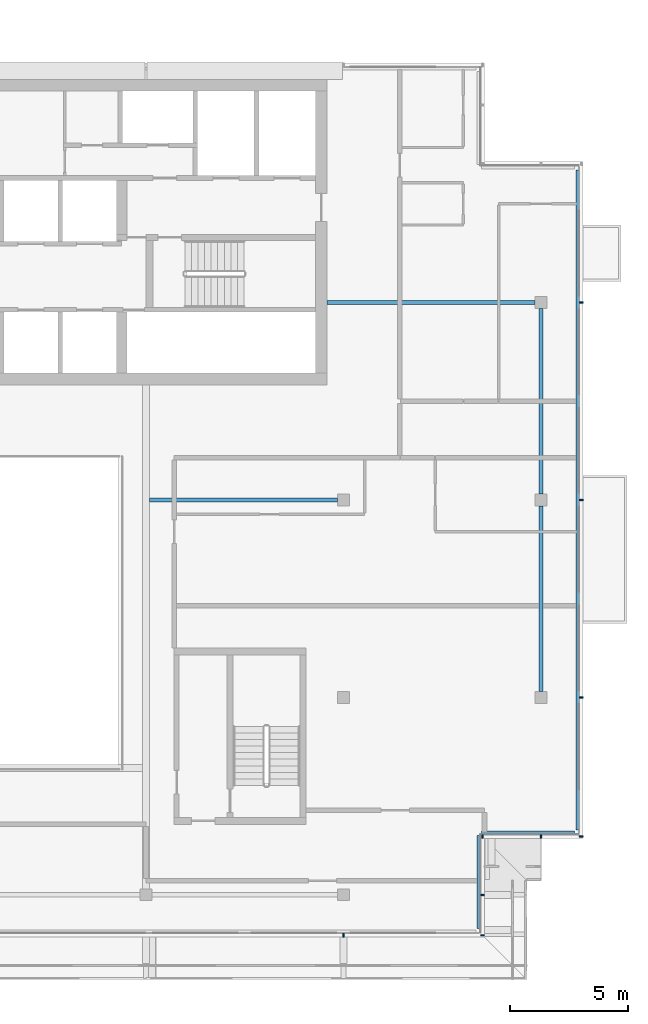
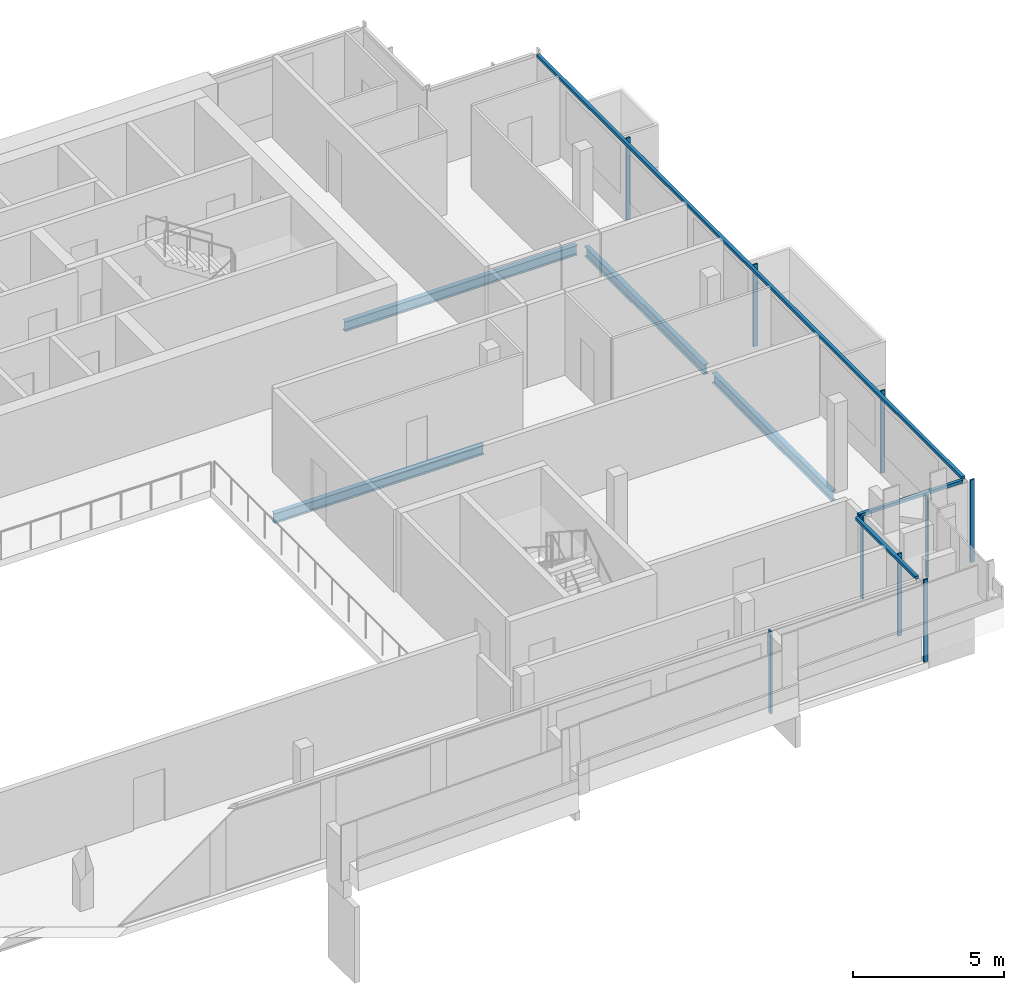
# One storey, part 5 of 21: 12 members, 4 beams, 4 elements without a shape of their own.
"""IFC4 building model written with IfcOpenShell, lengths in metres."""

from ifc_helpers import new_model, si_unit, direction, frame, origin, origin_2d, place, context, subcontext, project, spatial, rectangle, i_section, extrude, material, material_profile, profile_set, type_object, element, aggregate, save


model = new_model("IFC4")

# Units and contexts
model_context = context("Model", 3, precision=1e-05, world=origin(), true_north=direction((0.0, 1.0)))
body_context = subcontext(model_context, "Body", "Model", "MODEL_VIEW")
ifc_project = project(units=[si_unit("LENGTHUNIT", "METRE"), si_unit("AREAUNIT", "SQUARE_METRE"), si_unit("VOLUMEUNIT", "CUBIC_METRE"), si_unit("PLANEANGLEUNIT", "RADIAN"), si_unit("MASSUNIT", "GRAM", prefix="KILO")], contexts=[model_context])

# Site, building, storey
site_placement = place(None, origin())
site = spatial("IfcSite", under=ifc_project, at=site_placement, CompositionType="ELEMENT")
building_placement = place(site_placement, origin())
building = spatial("IfcBuilding", under=site, at=building_placement, Name="Saffron Gate Tower", CompositionType="ELEMENT")
storey_placement = place(building_placement, frame((0.0, 0.0, 288.75)))
storey = spatial("IfcBuildingStorey", under=building, at=storey_placement, Name="L70", CompositionType="ELEMENT", Elevation=288.75)

# Beams
ifc_material_1 = material(Name="Structural steel S355", Category="steel")
ifc_material_profile_1 = material_profile(ifc_material_1, i_section(OverallWidth=0.179931640625, OverallDepth=0.39990234375, WebThickness=0.008544921875, FlangeThickness=0.013427734375, FilletRadius=0.02099609375, at=origin_2d()))
ifc_profile_set_1 = profile_set([ifc_material_profile_1], Name="Structural steel S355")
beam_type_1 = type_object("IfcBeamType", Name="B4 IPE 400", PredefinedType="BEAM", material=ifc_profile_set_1)
beam_1_placement = place(storey_placement, frame((108.35009765625, 57.0, -0.47998046875), z_axis=(-1.0, 0.0, 0.0), x_axis=(0.0, -1.0, 0.0)))
element("IfcBeam", 1, at=beam_1_placement, inside=storey, type_object=beam_type_1, Name="B4 CORE TIE BEAM", PredefinedType="BEAM", context=body_context, shape_type="SweptSolid", body=[
    extrude(i_section(OverallWidth=0.179931640625, OverallDepth=0.39990234375, WebThickness=0.008544921875, FlangeThickness=0.013427734375, FilletRadius=0.02099609375, at=origin_2d()), origin(), (0.0, 0.0, 1.0), 8.0),
])
beam_2_placement = place(storey_placement, frame((116.75, 65.39990234375, -0.47998046875), z_axis=(-1.0, 0.0, 0.0), x_axis=(0.0, -1.0, 0.0)))
element("IfcBeam", 2, at=beam_2_placement, inside=storey, type_object=beam_type_1, Name="B4 CORE TIE BEAM", PredefinedType="BEAM", context=body_context, shape_type="SweptSolid", body=[
    extrude(i_section(OverallWidth=0.179931640625, OverallDepth=0.39990234375, WebThickness=0.008544921875, FlangeThickness=0.013427734375, FilletRadius=0.02099609375, at=origin_2d()), origin(), (0.0, 0.0, 1.0), 8.85009765625),
])
ifc_material_profile_2 = material_profile(ifc_material_1, i_section(OverallWidth=0.179931640625, OverallDepth=0.39990234375, WebThickness=0.008544921875, FlangeThickness=0.013427734375, FilletRadius=0.02099609375, at=origin_2d()))
ifc_profile_set_2 = profile_set([ifc_material_profile_2], Name="Structural steel S355")
beam_type_2 = type_object("IfcBeamType", Name="B5 IPE 400", PredefinedType="SPANDREL", material=ifc_profile_set_2)
for number, where, z_axis, x_axis, name in (
    (3, (117.0, 48.85009765625, -0.47998046875), (0.0, 1.0, 0.0), (-1.0, 0.0, 0.0), "B5 SPANDREL BEAM"),
    (4, (117.0, 57.25, -0.47998046875), (0.0, 1.0, 0.0), (-1.0, 0.0, 0.0), "B5 SPANDREL BEAM"),
):
    element("IfcBeam", number, at=place(storey_placement, frame(where, z_axis=z_axis, x_axis=x_axis)), inside=storey, type_object=beam_type_2, Name=name, PredefinedType="SPANDREL", context=body_context, shape_type="SweptSolid", body=[
        extrude(i_section(OverallWidth=0.179931640625, OverallDepth=0.39990234375, WebThickness=0.008544921875, FlangeThickness=0.013427734375, FilletRadius=0.02099609375, at=origin_2d()), origin(), (0.0, 0.0, 1.0), 7.89990234375),
    ])

# Curtain wall, member
ifc_material_2 = material(Name="Aluminium, bronze anodised", Category="aluminium")
curtain_wall_type_1 = type_object("IfcCurtainWallType", Name="CWS1 curtain wall front facade", PredefinedType="NOTDEFINED", material=ifc_material_2)
curtain_wall_1_placement = place(storey_placement, origin())
curtain_wall_1 = element("IfcCurtainWall", 5, at=curtain_wall_1_placement, inside=storey, type_object=curtain_wall_type_1, Name="CWS1 run 1", PredefinedType="NOTDEFINED")
ifc_material_profile_3 = material_profile(ifc_material_2, rectangle(XDim=0.159912109375, YDim=0.06005859375, at=origin_2d()))
ifc_profile_set_3 = profile_set([ifc_material_profile_3], Name="Aluminium, bronze anodised")
member_type_1 = type_object("IfcMemberType", Name="CWS1 mullion 60x160", PredefinedType="MULLION", material=ifc_profile_set_3)
member_1_placement = place(storey_placement, frame((108.60009765625, 38.47998046875, 0.0), z_axis=(0.0, 0.0, 1.0), x_axis=(0.0, 1.0, 0.0)))
member_1 = element("IfcMember", 6, at=member_1_placement, type_object=member_type_1, Name="CWS1 mullion 7", PredefinedType="MULLION", context=body_context, shape_type="SweptSolid", body=[
    extrude(rectangle(XDim=0.159912109375, YDim=0.06005859375, at=origin_2d()), origin(), (0.0, 0.0, 1.0), 3.320068359375),
])
aggregate(curtain_wall_1, [member_1])

# Curtain wall, members
curtain_wall_type_2 = type_object("IfcCurtainWallType", Name="CWS2 curtain wall side facades", PredefinedType="NOTDEFINED", material=ifc_material_2)
curtain_wall_2_placement = place(storey_placement, origin())
curtain_wall_2 = element("IfcCurtainWall", 7, at=curtain_wall_2_placement, inside=storey, type_object=curtain_wall_type_2, Name="CWS2 run 4", PredefinedType="NOTDEFINED")
ifc_material_profile_4 = material_profile(ifc_material_2, rectangle(XDim=0.1201171875, YDim=0.1201171875, at=origin_2d()))
ifc_profile_set_4 = profile_set([ifc_material_profile_4], Name="Aluminium, bronze anodised")
member_type_2 = type_object("IfcMemberType", Name="CWS2 head transom", PredefinedType="USERDEFINED", material=ifc_profile_set_4)
member_2_placement = place(storey_placement, frame((118.552001953125, 42.968017578125, 3.260009765625), z_axis=(0.0, 1.0, 0.0), x_axis=(-1.0, 0.0, 0.0)))
member_2 = element("IfcMember", 8, at=member_2_placement, type_object=member_type_2, Name="CWS2 head transom", ObjectType="TRANSOM", PredefinedType="USERDEFINED", context=body_context, shape_type="SweptSolid", body=[
    extrude(rectangle(XDim=0.1201171875, YDim=0.1201171875, at=origin_2d()), origin(), (0.0, 0.0, 1.0), 28.06396484375),
])
ifc_material_profile_5 = material_profile(ifc_material_2, rectangle(XDim=0.159912109375, YDim=0.06005859375, at=origin_2d()))
ifc_profile_set_5 = profile_set([ifc_material_profile_5], Name="Aluminium, bronze anodised")
member_type_3 = type_object("IfcMemberType", Name="CWS2 mullion 60x160", PredefinedType="MULLION", material=ifc_profile_set_5)
member_3_placement = place(storey_placement, frame((118.719970703125, 42.679931640625, 0.0), z_axis=(0.0, 0.0, 1.0), x_axis=(-1.0, 0.0, 0.0)))
member_3 = element("IfcMember", 9, at=member_3_placement, type_object=member_type_3, Name="CWS2 mullion 1", PredefinedType="MULLION", context=body_context, shape_type="SweptSolid", body=[
    extrude(rectangle(XDim=0.159912109375, YDim=0.06005859375, at=origin_2d()), origin(), (0.0, 0.0, 1.0), 3.320068359375),
])
member_4_placement = place(storey_placement, frame((118.719970703125, 48.60009765625, 0.0), z_axis=(0.0, 0.0, 1.0), x_axis=(-1.0, 0.0, 0.0)))
member_4 = element("IfcMember", 10, at=member_4_placement, type_object=member_type_3, Name="CWS2 mullion 2", PredefinedType="MULLION", context=body_context, shape_type="SweptSolid", body=[
    extrude(rectangle(XDim=0.159912109375, YDim=0.06005859375, at=origin_2d()), origin(), (0.0, 0.0, 1.0), 3.320068359375),
])
member_5_placement = place(storey_placement, frame((118.719970703125, 57.0, 0.0), z_axis=(0.0, 0.0, 1.0), x_axis=(-1.0, 0.0, 0.0)))
member_5 = element("IfcMember", 11, at=member_5_placement, type_object=member_type_3, Name="CWS2 mullion 3", PredefinedType="MULLION", context=body_context, shape_type="SweptSolid", body=[
    extrude(rectangle(XDim=0.159912109375, YDim=0.06005859375, at=origin_2d()), origin(), (0.0, 0.0, 1.0), 3.320068359375),
])
member_6_placement = place(storey_placement, frame((118.719970703125, 65.39990234375, 0.0), z_axis=(0.0, 0.0, 1.0), x_axis=(-1.0, 0.0, 0.0)))
member_6 = element("IfcMember", 12, at=member_6_placement, type_object=member_type_3, Name="CWS2 mullion 4", PredefinedType="MULLION", context=body_context, shape_type="SweptSolid", body=[
    extrude(rectangle(XDim=0.159912109375, YDim=0.06005859375, at=origin_2d()), origin(), (0.0, 0.0, 1.0), 3.320068359375),
])
aggregate(curtain_wall_2, [member_3, member_4, member_5, member_6, member_2])

# Curtain wall, member
curtain_wall_type_3 = type_object("IfcCurtainWallType", Name="CWS4 curtain wall corner returns", PredefinedType="NOTDEFINED", material=ifc_material_2)
curtain_wall_3_placement = place(storey_placement, origin())
curtain_wall_3 = element("IfcCurtainWall", 13, at=curtain_wall_3_placement, inside=storey, type_object=curtain_wall_type_3, Name="CWS4 run 2", PredefinedType="NOTDEFINED")
ifc_material_profile_6 = material_profile(ifc_material_2, rectangle(XDim=0.1201171875, YDim=0.1201171875, at=origin_2d()))
ifc_profile_set_6 = profile_set([ifc_material_profile_6], Name="Aluminium, bronze anodised")
member_type_4 = type_object("IfcMemberType", Name="CWS4 head transom", PredefinedType="USERDEFINED", material=ifc_profile_set_6)
member_7_placement = place(storey_placement, frame((114.35205078125, 38.76806640625, 3.260009765625), z_axis=(0.0, 1.0, 0.0), x_axis=(-1.0, 0.0, 0.0)))
member_7 = element("IfcMember", 14, at=member_7_placement, type_object=member_type_4, Name="CWS4 head transom", ObjectType="TRANSOM", PredefinedType="USERDEFINED", context=body_context, shape_type="SweptSolid", body=[
    extrude(rectangle(XDim=0.1201171875, YDim=0.1201171875, at=origin_2d()), origin(), (0.0, 0.0, 1.0), 3.9599609375),
])

curtain_wall_4_placement = place(storey_placement, origin())
curtain_wall_4 = element("IfcCurtainWall", 15, at=curtain_wall_4_placement, inside=storey, type_object=curtain_wall_type_3, Name="CWS4 run 3", PredefinedType="NOTDEFINED")
member_8_placement = place(storey_placement, frame((114.471923828125, 42.847900390625, 3.260009765625), z_axis=(1.0, 0.0, 0.0), x_axis=(0.0, 1.0, 0.0)))
member_8 = element("IfcMember", 16, at=member_8_placement, type_object=member_type_4, Name="CWS4 head transom", ObjectType="TRANSOM", PredefinedType="USERDEFINED", context=body_context, shape_type="SweptSolid", body=[
    extrude(rectangle(XDim=0.1201171875, YDim=0.1201171875, at=origin_2d()), origin(), (0.0, 0.0, 1.0), 3.9599609375),
])

# Member
ifc_material_profile_7 = material_profile(ifc_material_2, rectangle(XDim=0.159912109375, YDim=0.06005859375, at=origin_2d()))
ifc_profile_set_7 = profile_set([ifc_material_profile_7], Name="Aluminium, bronze anodised")
member_type_5 = type_object("IfcMemberType", Name="CWS4 mullion 60x160", PredefinedType="MULLION", material=ifc_profile_set_7)
member_9_placement = place(storey_placement, frame((114.52001953125, 38.47998046875, 0.0), z_axis=(0.0, 0.0, 1.0), x_axis=(-1.0, 0.0, 0.0)))
member_9 = element("IfcMember", 17, at=member_9_placement, type_object=member_type_5, Name="CWS4 mullion 1", PredefinedType="MULLION", context=body_context, shape_type="SweptSolid", body=[
    extrude(rectangle(XDim=0.159912109375, YDim=0.06005859375, at=origin_2d()), origin(), (0.0, 0.0, 1.0), 3.320068359375),
])

member_10_placement = place(storey_placement, frame((114.52001953125, 40.199951171875, 0.0), z_axis=(0.0, 0.0, 1.0), x_axis=(-1.0, 0.0, 0.0)))
member_10 = element("IfcMember", 18, at=member_10_placement, type_object=member_type_5, Name="CWS4 mullion 2", PredefinedType="MULLION", context=body_context, shape_type="SweptSolid", body=[
    extrude(rectangle(XDim=0.159912109375, YDim=0.06005859375, at=origin_2d()), origin(), (0.0, 0.0, 1.0), 3.320068359375),
])

aggregate(curtain_wall_3, [member_9, member_10, member_7])

member_11_placement = place(storey_placement, frame((114.52001953125, 42.679931640625, 0.0), z_axis=(0.0, 0.0, 1.0), x_axis=(0.0, 1.0, 0.0)))
member_11 = element("IfcMember", 19, at=member_11_placement, type_object=member_type_5, Name="CWS4 mullion 1", PredefinedType="MULLION", context=body_context, shape_type="SweptSolid", body=[
    extrude(rectangle(XDim=0.159912109375, YDim=0.06005859375, at=origin_2d()), origin(), (0.0, 0.0, 1.0), 3.320068359375),
])

member_12_placement = place(storey_placement, frame((117.0, 42.679931640625, 0.0), z_axis=(0.0, 0.0, 1.0), x_axis=(0.0, 1.0, 0.0)))
member_12 = element("IfcMember", 20, at=member_12_placement, type_object=member_type_5, Name="CWS4 mullion 2", PredefinedType="MULLION", context=body_context, shape_type="SweptSolid", body=[
    extrude(rectangle(XDim=0.159912109375, YDim=0.06005859375, at=origin_2d()), origin(), (0.0, 0.0, 1.0), 3.320068359375),
])

aggregate(curtain_wall_4, [member_11, member_12, member_8])

save(model, "model.ifc")
